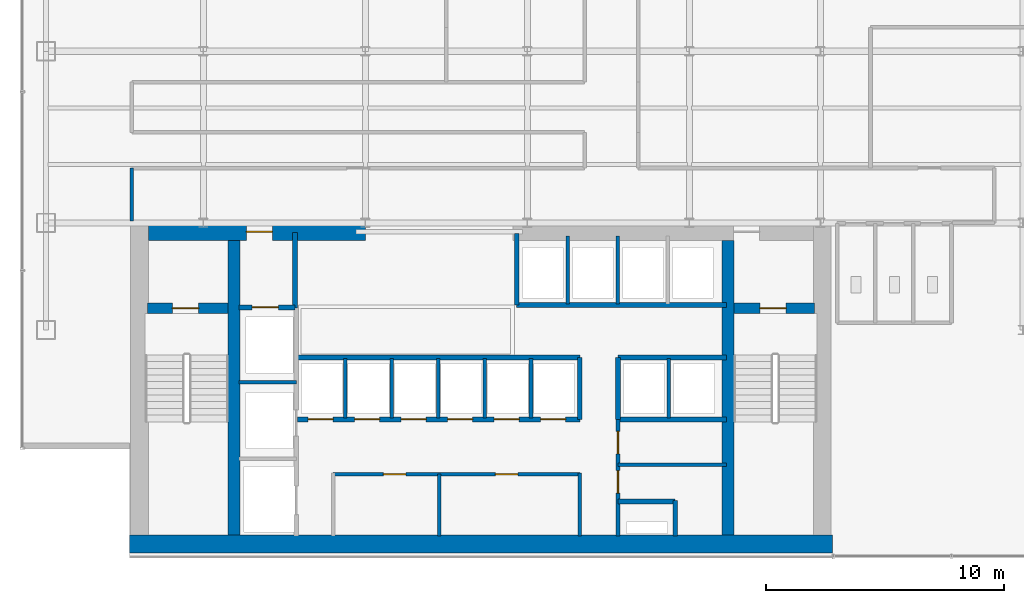
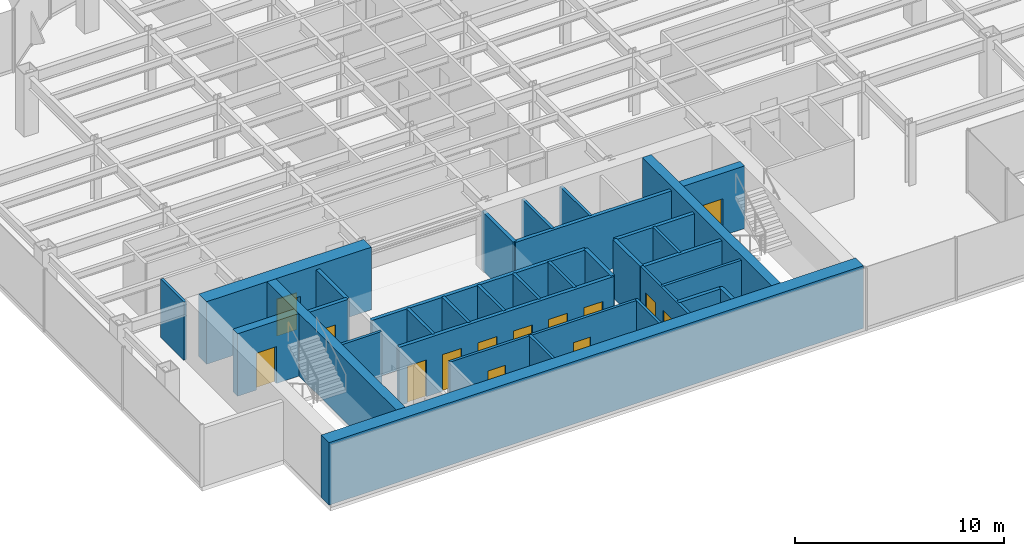
# One storey, part 21 of 26: 33 walls, 14 doors, 14 openings.
"""IFC4 building model written with IfcOpenShell, lengths in metres."""

from ifc_helpers import new_model, si_unit, derived_unit, direction, frame, frame_2d, origin, place, context, subcontext, project, spatial, rectangle, extrude, source, transform, mapped, material, layer, layer_set, type_object, element, fill, save


model = new_model("IFC4")

# Units and contexts
model_context = context("Model", 3, precision=1e-05, world=origin(), true_north=direction((0.0, 1.0)))
body_context = subcontext(model_context, "Body", "Model", "MODEL_VIEW")
ifc_project = project(units=[si_unit("LENGTHUNIT", "METRE"), si_unit("AREAUNIT", "SQUARE_METRE"), si_unit("VOLUMEUNIT", "CUBIC_METRE"), si_unit("PLANEANGLEUNIT", "RADIAN"), si_unit("MASSUNIT", "GRAM", prefix="KILO"), derived_unit("THERMALTRANSMITTANCEUNIT", [(si_unit("POWERUNIT", "WATT"), 1), (si_unit("LENGTHUNIT", "METRE"), -2), (si_unit("THERMODYNAMICTEMPERATUREUNIT", "KELVIN"), -1)])], contexts=[model_context])

# Site, building, storey
site_placement = place(None, origin())
site = spatial("IfcSite", under=ifc_project, at=site_placement, CompositionType="ELEMENT")
building_placement = place(site_placement, origin())
building = spatial("IfcBuilding", under=site, at=building_placement, Name="Skarnbrae Concourse Arena and Tower", CompositionType="ELEMENT")
storey_placement = place(building_placement, frame((0.0, 0.0, 95.949951171875)))
storey = spatial("IfcBuildingStorey", under=building, at=storey_placement, Name="L23", CompositionType="ELEMENT", Elevation=95.949951171875)

# Wall, opening, door
ifc_material_1 = material(Name="Concrete 50 MPa (C50/60)", Category="concrete")
ifc_layer_1 = layer(ifc_material_1, 0.449951171875)
ifc_layer_set_1 = layer_set([ifc_layer_1], Name="Concrete 50 MPa (C50/60)")
wall_type_1 = type_object("IfcWallType", Name="WALL-CORE-450-C50", PredefinedType="SHEAR", material=ifc_layer_set_1)
shared_shape_1 = source(origin(), body_context, "Body", "SweptSolid", [
    extrude(rectangle(XDim=3.389892578125, YDim=0.449951171875, at=frame_2d((1.69482421875, 0.0))), origin(), (0.0, 0.0, 1.0), 3.650146484375),
])
wall_1_placement = place(storey_placement, frame((5.25, 10.419921875, 0.0), z_axis=(0.0, 0.0, 1.0), x_axis=(1.0, 0.0, 0.0)))
wall_1 = element("IfcWall", 1, at=wall_1_placement, inside=storey, type_object=wall_type_1, Name="L23 Rear core shear wall CW-ST1-N", PredefinedType="SHEAR", context=body_context, shape_type="MappedRepresentation", body=[
    mapped(shared_shape_1, transform((0.0, 0.0, 0.0))),
])
opening_1_placement = place(wall_1_placement, frame((1.050048828125, 0.0, 0.0)))
opening_1 = element("IfcOpeningElement", 2, at=opening_1_placement, cuts=wall_1, Name="Opening DT-03", PredefinedType="OPENING", context=body_context, shape_type="SweptSolid", body=[
    extrude(rectangle(XDim=1.10009765625, YDim=2.14990234375, at=frame_2d((0.550048828125, 1.074951171875))), frame((0.0, 0.23486328125, 0.0), z_axis=(0.0, -1.0, 0.0), x_axis=(1.0, 0.0, 0.0)), (0.0, 0.0, 1.0), 0.469970703125),
])
ifc_material_2 = material(Name="Steel CSA G40.21 350W", Category="steel")
door_type_1 = type_object("IfcDoorType", Name="DOOR-FIRE-1100-90M", OperationType="NOTDEFINED", PredefinedType="DOOR", material=ifc_material_2)
shared_shape_2 = source(origin(), body_context, "Body", "SweptSolid", [
    extrude(rectangle(XDim=1.10009765625, YDim=2.14990234375, at=frame_2d((0.550048828125, 1.074951171875))), frame((0.0, 0.02490234375, 0.0), z_axis=(0.0, -1.0, 0.0), x_axis=(1.0, 0.0, 0.0)), (0.0, 0.0, 1.0), 0.050048828125),
])
door_1_placement = place(opening_1_placement, frame((1.10009765625, 0.0, 0.0), z_axis=(0.0, 0.0, 1.0), x_axis=(-1.0, 0.0, 0.0)))
door_1 = element("IfcDoor", 3, at=door_1_placement, inside=storey, type_object=door_type_1, Name="D-0787 Stair ST-1 Door", OperationType="SINGLE_SWING_LEFT", OverallHeight=2.14990234375, OverallWidth=1.10009765625, PredefinedType="DOOR", context=body_context, shape_type="MappedRepresentation", body=[
    mapped(shared_shape_2, transform((0.0, 0.0, 0.0))),
])
fill(opening_1, door_1)

wall_2_placement = place(storey_placement, frame((29.860107421875, 10.419921875, 0.0), z_axis=(0.0, 0.0, 1.0), x_axis=(1.0, 0.0, 0.0)))
wall_2 = element("IfcWall", 4, at=wall_2_placement, inside=storey, type_object=wall_type_1, Name="L23 Rear core shear wall CW-ST2-N", PredefinedType="SHEAR", context=body_context, shape_type="MappedRepresentation", body=[
    mapped(shared_shape_1, transform((0.0, 0.0, 0.0))),
])
opening_2_placement = place(wall_2_placement, frame((1.10009765625, 0.0, 0.0)))
opening_2 = element("IfcOpeningElement", 5, at=opening_2_placement, cuts=wall_2, Name="Opening DT-03", PredefinedType="OPENING", context=body_context, shape_type="SweptSolid", body=[
    extrude(rectangle(XDim=1.10009765625, YDim=2.14990234375, at=frame_2d((0.550048828125, 1.074951171875))), frame((0.0, 0.23486328125, 0.0), z_axis=(0.0, -1.0, 0.0), x_axis=(1.0, 0.0, 0.0)), (0.0, 0.0, 1.0), 0.469970703125),
])
door_2_placement = place(opening_2_placement, frame((1.10009765625, 0.0, 0.0), z_axis=(0.0, 0.0, 1.0), x_axis=(-1.0, 0.0, 0.0)))
door_2 = element("IfcDoor", 6, at=door_2_placement, inside=storey, type_object=door_type_1, Name="D-0788 Stair ST-2 Door", OperationType="SINGLE_SWING_RIGHT", OverallHeight=2.14990234375, OverallWidth=1.10009765625, PredefinedType="DOOR", context=body_context, shape_type="MappedRepresentation", body=[
    mapped(shared_shape_2, transform((0.0, 0.0, 0.0))),
])
fill(opening_2, door_2)

# Wall
ifc_material_3 = material(Name="Concrete 60 MPa (C60/75)", Category="concrete")
ifc_layer_2 = layer(ifc_material_3, 0.75)
ifc_layer_set_2 = layer_set([ifc_layer_2], Name="Concrete 60 MPa (C60/75)")
wall_type_2 = type_object("IfcWallType", Name="WALL-CORE-750-C60", PredefinedType="SHEAR", material=ifc_layer_set_2)
shared_shape_3 = source(origin(), body_context, "Body", "SweptSolid", [
    extrude(rectangle(XDim=29.5, YDim=0.75, at=frame_2d((14.75, 0.0))), origin(), (0.0, 0.0, 1.0), 3.650146484375),
])
wall_3_placement = place(storey_placement, frame((4.5, 0.52490234375, 0.0), z_axis=(0.0, 0.0, 1.0), x_axis=(1.0, 0.0, 0.0)))
element("IfcWall", 7, at=wall_3_placement, inside=storey, type_object=wall_type_2, Name="L23 Rear core shear wall CW-S", PredefinedType="SHEAR", context=body_context, shape_type="MappedRepresentation", body=[
    mapped(shared_shape_3, transform((0.0, 0.0, 0.0))),
])

# Wall, opening, door
shared_shape_4 = source(origin(), body_context, "Body", "SweptSolid", [
    extrude(rectangle(XDim=9.099853515625, YDim=0.75, at=frame_2d((4.5498046875, 0.0))), origin(), (0.0, 0.0, 1.0), 3.650146484375),
])
wall_4_placement = place(storey_placement, frame((5.300048828125, 13.625, 0.0), z_axis=(0.0, 0.0, 1.0), x_axis=(1.0, 0.0, 0.0)))
wall_4 = element("IfcWall", 8, at=wall_4_placement, inside=storey, type_object=wall_type_2, Name="L23 Rear core shear wall CW-NW", PredefinedType="SHEAR", context=body_context, shape_type="MappedRepresentation", body=[
    mapped(shared_shape_4, transform((0.0, 0.0, 0.0))),
])
opening_3_placement = place(wall_4_placement, frame((4.10009765625, 0.0, 0.0)))
opening_3 = element("IfcOpeningElement", 9, at=opening_3_placement, cuts=wall_4, Name="Opening DT-03", PredefinedType="OPENING", context=body_context, shape_type="SweptSolid", body=[
    extrude(rectangle(XDim=1.10009765625, YDim=2.14990234375, at=frame_2d((0.550048828125, 1.074951171875))), frame((0.0, 0.385009765625, 0.0), z_axis=(0.0, -1.0, 0.0), x_axis=(1.0, 0.0, 0.0)), (0.0, 0.0, 1.0), 0.77001953125),
])
door_3_placement = place(opening_3_placement, origin())
door_3 = element("IfcDoor", 10, at=door_3_placement, inside=storey, type_object=door_type_1, Name="D-0789 Firefighting Lobby Exit Door", OperationType="SINGLE_SWING_RIGHT", OverallHeight=2.14990234375, OverallWidth=1.10009765625, PredefinedType="DOOR", context=body_context, shape_type="MappedRepresentation", body=[
    mapped(shared_shape_2, transform((0.0, 0.0, 0.0))),
])
fill(opening_3, door_3)

# Walls
ifc_layer_3 = layer(ifc_material_3, 0.5)
ifc_layer_set_3 = layer_set([ifc_layer_3], Name="Concrete 60 MPa (C60/75)")
wall_type_3 = type_object("IfcWallType", Name="WALL-CORE-500-C60", PredefinedType="SHEAR", material=ifc_layer_set_3)
shared_shape_5 = source(origin(), body_context, "Body", "SweptSolid", [
    extrude(rectangle(XDim=12.35009765625, YDim=0.5, at=frame_2d((6.175048828125, 0.0))), origin(), (0.0, 0.0, 1.0), 3.650146484375),
])
for number, where, z_axis, x_axis, name in (
    (11, (8.889892578125, 0.89990234375, 0.0), (0.0, 0.0, 1.0), (0.0, 1.0, 0.0), "L23 Rear core shear wall CW-WEB-W"),
    (12, (29.610107421875, 0.89990234375, 0.0), (0.0, 0.0, 1.0), (0.0, 1.0, 0.0), "L23 Rear core shear wall CW-WEB-E"),
):
    element("IfcWall", number, at=place(storey_placement, frame(where, z_axis=z_axis, x_axis=x_axis)), inside=storey, type_object=wall_type_3, Name=name, PredefinedType="SHEAR", context=body_context, shape_type="MappedRepresentation", body=[
        mapped(shared_shape_5, transform((0.0, 0.0, 0.0))),
    ])
ifc_material_4 = material(Name="Gypsum board on cold-formed steel studs", Category="steel")
ifc_layer_4 = layer(ifc_material_4, 0.199951171875)
ifc_layer_set_4 = layer_set([ifc_layer_4], Name="Gypsum board on cold-formed steel studs")
wall_type_4 = type_object("IfcWallType", Name="WALL-PART-200-2HR", PredefinedType="PARTITIONING", material=ifc_layer_set_4)
shared_shape_6 = source(origin(), body_context, "Body", "SweptSolid", [
    extrude(rectangle(XDim=3.18017578125, YDim=0.199951171875, at=frame_2d((1.590087890625, 0.0))), origin(), (0.0, 0.0, 1.0), 3.400146484375),
])
wall_5_placement = place(storey_placement, frame((11.449951171875, 10.419921875, 0.0), z_axis=(0.0, 0.0, 1.0), x_axis=(0.0, 1.0, 0.0)))
element("IfcWall", 13, at=wall_5_placement, inside=storey, type_object=wall_type_4, Name="L23 Interior partition wall W-L23-FFL-E", PredefinedType="PARTITIONING", context=body_context, shape_type="MappedRepresentation", body=[
    mapped(shared_shape_6, transform((0.0, 0.0, 0.0))),
])

# Wall, opening, door
shared_shape_7 = source(origin(), body_context, "Body", "SweptSolid", [
    extrude(rectangle(XDim=2.349853515625, YDim=0.199951171875, at=frame_2d((1.1748046875, 0.0))), origin(), (0.0, 0.0, 1.0), 3.400146484375),
])
wall_6_placement = place(storey_placement, frame((9.10009765625, 10.449951171875, 0.0), z_axis=(0.0, 0.0, 1.0), x_axis=(1.0, 0.0, 0.0)))
wall_6 = element("IfcWall", 14, at=wall_6_placement, inside=storey, type_object=wall_type_4, Name="L23 Interior partition wall W-L23-FL1-N", PredefinedType="PARTITIONING", context=body_context, shape_type="MappedRepresentation", body=[
    mapped(shared_shape_7, transform((0.0, 0.0, 0.0))),
])
opening_4_placement = place(wall_6_placement, frame((0.550048828125, 0.0, 0.0)))
opening_4 = element("IfcOpeningElement", 15, at=opening_4_placement, cuts=wall_6, Name="Opening LD-01", PredefinedType="OPENING", context=body_context, shape_type="SweptSolid", body=[
    extrude(rectangle(XDim=1.10009765625, YDim=2.14990234375, at=frame_2d((0.550048828125, 1.074951171875))), frame((0.0, 0.10986328125, 0.0), z_axis=(0.0, -1.0, 0.0), x_axis=(1.0, 0.0, 0.0)), (0.0, 0.0, 1.0), 0.219970703125),
])
door_type_2 = type_object("IfcDoorType", Name="DOOR-LIFT-SLIDE-1100", OperationType="SLIDING_TO_LEFT", PredefinedType="DOOR", material=ifc_material_2)
door_4_placement = place(opening_4_placement, origin())
door_4 = element("IfcDoor", 16, at=door_4_placement, inside=storey, type_object=door_type_2, Name="D-0791 Firefighting Lift Landing Door FL-01", OperationType="SLIDING_TO_LEFT", OverallHeight=2.14990234375, OverallWidth=1.10009765625, PredefinedType="DOOR", context=body_context, shape_type="MappedRepresentation", body=[
    mapped(shared_shape_2, transform((0.0, 0.0, 0.0))),
])
fill(opening_4, door_4)

# Walls
ifc_layer_5 = layer(ifc_material_4, 0.14990234375)
ifc_layer_set_5 = layer_set([ifc_layer_5], Name="Gypsum board on cold-formed steel studs")
wall_type_5 = type_object("IfcWallType", Name="WALL-PART-150", PredefinedType="PARTITIONING", material=ifc_layer_set_5)
shared_shape_8 = source(origin(), body_context, "Body", "SweptSolid", [
    extrude(rectangle(XDim=2.39990234375, YDim=0.14990234375, at=frame_2d((1.199951171875, 0.0))), origin(), (0.0, 0.0, 1.0), 3.400146484375),
])
wall_7_placement = place(storey_placement, frame((9.10009765625, 7.300048828125, 0.0), z_axis=(0.0, 0.0, 1.0), x_axis=(1.0, 0.0, 0.0)))
element("IfcWall", 17, at=wall_7_placement, inside=storey, type_object=wall_type_5, Name="L23 Interior partition wall W-L23-FL-D2", PredefinedType="PARTITIONING", context=body_context, shape_type="MappedRepresentation", body=[
    mapped(shared_shape_8, transform((0.0, 0.0, 0.0))),
])
shared_shape_9 = source(origin(), body_context, "Body", "SweptSolid", [
    extrude(rectangle(XDim=2.599853515625, YDim=0.14990234375, at=frame_2d((1.2998046875, 0.0))), origin(), (0.0, 0.0, 1.0), 3.400146484375),
])
wall_8_placement = place(storey_placement, frame((17.5, 0.85009765625, 0.0), z_axis=(0.0, 0.0, 1.0), x_axis=(0.0, 1.0, 0.0)))
element("IfcWall", 18, at=wall_8_placement, inside=storey, type_object=wall_type_5, Name="L23 Interior partition wall W-L23-B1M-C1", PredefinedType="PARTITIONING", context=body_context, shape_type="MappedRepresentation", body=[
    mapped(shared_shape_9, transform((0.0, 0.0, 0.0))),
])

# Wall, openings, doors
shared_shape_10 = source(origin(), body_context, "Body", "SweptSolid", [
    extrude(rectangle(XDim=11.849853515625, YDim=0.199951171875, at=frame_2d((5.9248046875, 0.0))), origin(), (0.0, 0.0, 1.0), 3.400146484375),
])
wall_9_placement = place(storey_placement, frame((11.550048828125, 5.75, 0.0), z_axis=(0.0, 0.0, 1.0), x_axis=(1.0, 0.0, 0.0)))
wall_9 = element("IfcWall", 19, at=wall_9_placement, inside=storey, type_object=wall_type_4, Name="L23 Interior partition wall W-L23-B2-S", PredefinedType="PARTITIONING", context=body_context, shape_type="MappedRepresentation", body=[
    mapped(shared_shape_10, transform((0.0, 0.0, 0.0))),
])
opening_5_placement = place(wall_9_placement, frame((0.449951171875, 0.0, 0.0)))
opening_5 = element("IfcOpeningElement", 20, at=opening_5_placement, cuts=wall_9, Name="Opening LD-03", PredefinedType="OPENING", context=body_context, shape_type="SweptSolid", body=[
    extrude(rectangle(XDim=1.050048828125, YDim=2.14990234375, at=frame_2d((0.52490234375, 1.074951171875))), frame((0.0, 0.10986328125, 0.0), z_axis=(0.0, -1.0, 0.0), x_axis=(1.0, 0.0, 0.0)), (0.0, 0.0, 1.0), 0.219970703125),
])
opening_6_placement = place(wall_9_placement, frame((2.39990234375, 0.0, 0.0)))
opening_6 = element("IfcOpeningElement", 21, at=opening_6_placement, cuts=wall_9, Name="Opening LD-03", PredefinedType="OPENING", context=body_context, shape_type="SweptSolid", body=[
    extrude(rectangle(XDim=1.050048828125, YDim=2.14990234375, at=frame_2d((0.52490234375, 1.074951171875))), frame((0.0, 0.10986328125, 0.0), z_axis=(0.0, -1.0, 0.0), x_axis=(1.0, 0.0, 0.0)), (0.0, 0.0, 1.0), 0.219970703125),
])
opening_7_placement = place(wall_9_placement, frame((4.35009765625, 0.0, 0.0)))
opening_7 = element("IfcOpeningElement", 22, at=opening_7_placement, cuts=wall_9, Name="Opening LD-03", PredefinedType="OPENING", context=body_context, shape_type="SweptSolid", body=[
    extrude(rectangle(XDim=1.050048828125, YDim=2.14990234375, at=frame_2d((0.52490234375, 1.074951171875))), frame((0.0, 0.10986328125, 0.0), z_axis=(0.0, -1.0, 0.0), x_axis=(1.0, 0.0, 0.0)), (0.0, 0.0, 1.0), 0.219970703125),
])
opening_8_placement = place(wall_9_placement, frame((6.300048828125, 0.0, 0.0)))
opening_8 = element("IfcOpeningElement", 23, at=opening_8_placement, cuts=wall_9, Name="Opening LD-03", PredefinedType="OPENING", context=body_context, shape_type="SweptSolid", body=[
    extrude(rectangle(XDim=1.050048828125, YDim=2.14990234375, at=frame_2d((0.52490234375, 1.074951171875))), frame((0.0, 0.10986328125, 0.0), z_axis=(0.0, -1.0, 0.0), x_axis=(1.0, 0.0, 0.0)), (0.0, 0.0, 1.0), 0.219970703125),
])
opening_9_placement = place(wall_9_placement, frame((8.25, 0.0, 0.0)))
opening_9 = element("IfcOpeningElement", 24, at=opening_9_placement, cuts=wall_9, Name="Opening LD-03", PredefinedType="OPENING", context=body_context, shape_type="SweptSolid", body=[
    extrude(rectangle(XDim=1.050048828125, YDim=2.14990234375, at=frame_2d((0.52490234375, 1.074951171875))), frame((0.0, 0.10986328125, 0.0), z_axis=(0.0, -1.0, 0.0), x_axis=(1.0, 0.0, 0.0)), (0.0, 0.0, 1.0), 0.219970703125),
])
opening_10_placement = place(wall_9_placement, frame((10.199951171875, 0.0, 0.0)))
opening_10 = element("IfcOpeningElement", 25, at=opening_10_placement, cuts=wall_9, Name="Opening LD-03", PredefinedType="OPENING", context=body_context, shape_type="SweptSolid", body=[
    extrude(rectangle(XDim=1.050048828125, YDim=2.14990234375, at=frame_2d((0.52490234375, 1.074951171875))), frame((0.0, 0.10986328125, 0.0), z_axis=(0.0, -1.0, 0.0), x_axis=(1.0, 0.0, 0.0)), (0.0, 0.0, 1.0), 0.219970703125),
])
ifc_material_5 = material(Name="Bronze anodised aluminium 6063-T6", Category="aluminium")
door_type_3 = type_object("IfcDoorType", Name="DOOR-LIFT-SLIDE-1050", OperationType="SLIDING_TO_LEFT", PredefinedType="DOOR", material=ifc_material_5)
shared_shape_11 = source(origin(), body_context, "Body", "SweptSolid", [
    extrude(rectangle(XDim=1.050048828125, YDim=2.14990234375, at=frame_2d((0.52490234375, 1.074951171875))), frame((0.0, 0.02490234375, 0.0), z_axis=(0.0, -1.0, 0.0), x_axis=(1.0, 0.0, 0.0)), (0.0, 0.0, 1.0), 0.050048828125),
])
door_5_placement = place(opening_5_placement, frame((1.050048828125, 0.0, 0.0), z_axis=(0.0, 0.0, 1.0), x_axis=(-1.0, 0.0, 0.0)))
door_5 = element("IfcDoor", 26, at=door_5_placement, inside=storey, type_object=door_type_3, Name="D-0796 Passenger Lift Landing Door PL-2A", OperationType="SLIDING_TO_LEFT", OverallHeight=2.14990234375, OverallWidth=1.050048828125, PredefinedType="DOOR", context=body_context, shape_type="MappedRepresentation", body=[
    mapped(shared_shape_11, transform((0.0, 0.0, 0.0))),
])
fill(opening_5, door_5)
door_6_placement = place(opening_6_placement, frame((1.050048828125, 0.0, 0.0), z_axis=(0.0, 0.0, 1.0), x_axis=(-1.0, 0.0, 0.0)))
door_6 = element("IfcDoor", 27, at=door_6_placement, inside=storey, type_object=door_type_3, Name="D-0797 Passenger Lift Landing Door PL-2B", OperationType="SLIDING_TO_LEFT", OverallHeight=2.14990234375, OverallWidth=1.050048828125, PredefinedType="DOOR", context=body_context, shape_type="MappedRepresentation", body=[
    mapped(shared_shape_11, transform((0.0, 0.0, 0.0))),
])
fill(opening_6, door_6)
door_7_placement = place(opening_7_placement, frame((1.050048828125, 0.0, 0.0), z_axis=(0.0, 0.0, 1.0), x_axis=(-1.0, 0.0, 0.0)))
door_7 = element("IfcDoor", 28, at=door_7_placement, inside=storey, type_object=door_type_3, Name="D-0798 Passenger Lift Landing Door PL-2C", OperationType="SLIDING_TO_LEFT", OverallHeight=2.14990234375, OverallWidth=1.050048828125, PredefinedType="DOOR", context=body_context, shape_type="MappedRepresentation", body=[
    mapped(shared_shape_11, transform((0.0, 0.0, 0.0))),
])
fill(opening_7, door_7)
door_8_placement = place(opening_8_placement, frame((1.050048828125, 0.0, 0.0), z_axis=(0.0, 0.0, 1.0), x_axis=(-1.0, 0.0, 0.0)))
door_8 = element("IfcDoor", 29, at=door_8_placement, inside=storey, type_object=door_type_3, Name="D-0799 Passenger Lift Landing Door PL-2D", OperationType="SLIDING_TO_LEFT", OverallHeight=2.14990234375, OverallWidth=1.050048828125, PredefinedType="DOOR", context=body_context, shape_type="MappedRepresentation", body=[
    mapped(shared_shape_11, transform((0.0, 0.0, 0.0))),
])
fill(opening_8, door_8)
door_9_placement = place(opening_9_placement, frame((1.050048828125, 0.0, 0.0), z_axis=(0.0, 0.0, 1.0), x_axis=(-1.0, 0.0, 0.0)))
door_9 = element("IfcDoor", 30, at=door_9_placement, inside=storey, type_object=door_type_3, Name="D-0800 Passenger Lift Landing Door PL-2E", OperationType="SLIDING_TO_LEFT", OverallHeight=2.14990234375, OverallWidth=1.050048828125, PredefinedType="DOOR", context=body_context, shape_type="MappedRepresentation", body=[
    mapped(shared_shape_11, transform((0.0, 0.0, 0.0))),
])
fill(opening_9, door_9)
door_10_placement = place(opening_10_placement, frame((1.050048828125, 0.0, 0.0), z_axis=(0.0, 0.0, 1.0), x_axis=(-1.0, 0.0, 0.0)))
door_10 = element("IfcDoor", 31, at=door_10_placement, inside=storey, type_object=door_type_3, Name="D-0801 Passenger Lift Landing Door PL-2F", OperationType="SLIDING_TO_LEFT", OverallHeight=2.14990234375, OverallWidth=1.050048828125, PredefinedType="DOOR", context=body_context, shape_type="MappedRepresentation", body=[
    mapped(shared_shape_11, transform((0.0, 0.0, 0.0))),
])
fill(opening_10, door_10)

# Walls
wall_10_placement = place(storey_placement, frame((11.550048828125, 8.35009765625, 0.0), z_axis=(0.0, 0.0, 1.0), x_axis=(1.0, 0.0, 0.0)))
element("IfcWall", 32, at=wall_10_placement, inside=storey, type_object=wall_type_4, Name="L23 Interior partition wall W-L23-B2-N", PredefinedType="PARTITIONING", context=body_context, shape_type="MappedRepresentation", body=[
    mapped(shared_shape_10, transform((0.0, 0.0, 0.0))),
])
shared_shape_12 = source(origin(), body_context, "Body", "SweptSolid", [
    extrude(rectangle(XDim=2.60009765625, YDim=0.199951171875, at=frame_2d((1.300048828125, 0.0))), origin(), (0.0, 0.0, 1.0), 3.400146484375),
])
for number, where, z_axis, x_axis, name in (
    (33, (23.39990234375, 5.75, 0.0), (0.0, 0.0, 1.0), (0.0, 1.0, 0.0), "L23 Interior partition wall W-L23-B2-E"),
    (34, (25.0, 5.75, 0.0), (0.0, 0.0, 1.0), (0.0, 1.0, 0.0), "L23 Interior partition wall W-L23-B3S-W"),
):
    element("IfcWall", number, at=place(storey_placement, frame(where, z_axis=z_axis, x_axis=x_axis)), inside=storey, type_object=wall_type_4, Name=name, PredefinedType="PARTITIONING", context=body_context, shape_type="MappedRepresentation", body=[
        mapped(shared_shape_12, transform((0.0, 0.0, 0.0))),
    ])
shared_shape_13 = source(origin(), body_context, "Body", "SweptSolid", [
    extrude(rectangle(XDim=2.5, YDim=0.14990234375, at=frame_2d((1.25, 0.0))), origin(), (0.0, 0.0, 1.0), 3.400146484375),
])
for number, where, z_axis, x_axis, name in (
    (35, (13.550048828125, 5.800048828125, 0.0), (0.0, 0.0, 1.0), (0.0, 1.0, 0.0), "L23 Interior partition wall W-L23-B2-P1"),
    (36, (15.5, 5.800048828125, 0.0), (0.0, 0.0, 1.0), (0.0, 1.0, 0.0), "L23 Interior partition wall W-L23-B2-P2"),
    (37, (17.449951171875, 5.800048828125, 0.0), (0.0, 0.0, 1.0), (0.0, 1.0, 0.0), "L23 Interior partition wall W-L23-B2-P3"),
    (38, (19.39990234375, 5.800048828125, 0.0), (0.0, 0.0, 1.0), (0.0, 1.0, 0.0), "L23 Interior partition wall W-L23-B2-P4"),
    (39, (21.35009765625, 5.800048828125, 0.0), (0.0, 0.0, 1.0), (0.0, 1.0, 0.0), "L23 Interior partition wall W-L23-B2-P5"),
    (40, (27.139892578125, 5.800048828125, 0.0), (0.0, 0.0, 1.0), (0.0, 1.0, 0.0), "L23 Interior partition wall W-L23-B3S-P1"),
):
    element("IfcWall", number, at=place(storey_placement, frame(where, z_axis=z_axis, x_axis=x_axis)), inside=storey, type_object=wall_type_5, Name=name, PredefinedType="PARTITIONING", context=body_context, shape_type="MappedRepresentation", body=[
        mapped(shared_shape_13, transform((0.0, 0.0, 0.0))),
    ])
shared_shape_14 = source(origin(), body_context, "Body", "SweptSolid", [
    extrude(rectangle(XDim=8.800048828125, YDim=0.199951171875, at=frame_2d((4.39990234375, 0.0))), origin(), (0.0, 0.0, 1.0), 3.400146484375),
])
wall_11_placement = place(storey_placement, frame((20.75, 10.550048828125, 0.0), z_axis=(0.0, 0.0, 1.0), x_axis=(1.0, 0.0, 0.0)))
element("IfcWall", 41, at=wall_11_placement, inside=storey, type_object=wall_type_4, Name="L23 Interior partition wall W-L23-B3N-S", PredefinedType="PARTITIONING", context=body_context, shape_type="MappedRepresentation", body=[
    mapped(shared_shape_14, transform((0.0, 0.0, 0.0))),
])
shared_shape_15 = source(origin(), body_context, "Body", "SweptSolid", [
    extrude(rectangle(XDim=3.0, YDim=0.199951171875, at=frame_2d((1.5, 0.0))), origin(), (0.0, 0.0, 1.0), 3.400146484375),
])
wall_12_placement = place(storey_placement, frame((20.75, 10.550048828125, 0.0), z_axis=(0.0, 0.0, 1.0), x_axis=(0.0, 1.0, 0.0)))
element("IfcWall", 42, at=wall_12_placement, inside=storey, type_object=wall_type_4, Name="L23 Interior partition wall W-L23-B3N-W", PredefinedType="PARTITIONING", context=body_context, shape_type="MappedRepresentation", body=[
    mapped(shared_shape_15, transform((0.0, 0.0, 0.0))),
])
shared_shape_16 = source(origin(), body_context, "Body", "SweptSolid", [
    extrude(rectangle(XDim=2.849853515625, YDim=0.14990234375, at=frame_2d((1.4248046875, 0.0))), origin(), (0.0, 0.0, 1.0), 3.400146484375),
])
for number, where, z_axis, x_axis, name in (
    (43, (22.889892578125, 10.60009765625, 0.0), (0.0, 0.0, 1.0), (0.0, 1.0, 0.0), "L23 Interior partition wall W-L23-B3N-P1"),
    (44, (24.989990234375, 10.60009765625, 0.0), (0.0, 0.0, 1.0), (0.0, 1.0, 0.0), "L23 Interior partition wall W-L23-B3N-P2"),
):
    element("IfcWall", number, at=place(storey_placement, frame(where, z_axis=z_axis, x_axis=x_axis)), inside=storey, type_object=wall_type_5, Name=name, PredefinedType="PARTITIONING", context=body_context, shape_type="MappedRepresentation", body=[
        mapped(shared_shape_16, transform((0.0, 0.0, 0.0))),
    ])
shared_shape_17 = source(origin(), body_context, "Body", "SweptSolid", [
    extrude(rectangle(XDim=4.550048828125, YDim=0.199951171875, at=frame_2d((2.27490234375, 0.0))), origin(), (0.0, 0.0, 1.0), 3.400146484375),
])
for number, where, z_axis, x_axis, name in (
    (45, (25.0, 8.35009765625, 0.0), (0.0, 0.0, 1.0), (1.0, 0.0, 0.0), "L23 Interior partition wall W-L23-B3S-N"),
    (46, (25.0, 5.75, 0.0), (0.0, 0.0, 1.0), (1.0, 0.0, 0.0), "L23 Interior partition wall W-L23-B3S-S"),
):
    element("IfcWall", number, at=place(storey_placement, frame(where, z_axis=z_axis, x_axis=x_axis)), inside=storey, type_object=wall_type_4, Name=name, PredefinedType="PARTITIONING", context=body_context, shape_type="MappedRepresentation", body=[
        mapped(shared_shape_17, transform((0.0, 0.0, 0.0))),
    ])

# Wall, openings, doors
ifc_layer_6 = layer(ifc_material_4, 0.14990234375)
ifc_layer_set_6 = layer_set([ifc_layer_6], Name="Gypsum board on cold-formed steel studs")
wall_type_6 = type_object("IfcWallType", Name="WALL-PART-150-1HR", PredefinedType="PARTITIONING", material=ifc_layer_set_6)
shared_shape_18 = source(origin(), body_context, "Body", "SweptSolid", [
    extrude(rectangle(XDim=4.89990234375, YDim=0.14990234375, at=frame_2d((2.449951171875, 0.0))), origin(), (0.0, 0.0, 1.0), 3.400146484375),
])
wall_13_placement = place(storey_placement, frame((25.0, 0.85009765625, 0.0), z_axis=(0.0, 0.0, 1.0), x_axis=(0.0, 1.0, 0.0)))
wall_13 = element("IfcWall", 47, at=wall_13_placement, inside=storey, type_object=wall_type_6, Name="L23 Interior partition wall W-L23-CSV-W", PredefinedType="PARTITIONING", context=body_context, shape_type="MappedRepresentation", body=[
    mapped(shared_shape_18, transform((0.0, 0.0, 0.0))),
])
opening_11_placement = place(wall_13_placement, frame((1.800048828125, 0.0, 0.0)))
opening_11 = element("IfcOpeningElement", 48, at=opening_11_placement, cuts=wall_13, Name="Opening DT-04", PredefinedType="OPENING", context=body_context, shape_type="SweptSolid", body=[
    extrude(rectangle(XDim=0.949951171875, YDim=2.14990234375, at=frame_2d((0.47509765625, 1.074951171875))), frame((0.0, 0.0849609375, 0.0), z_axis=(0.0, -1.0, 0.0), x_axis=(1.0, 0.0, 0.0)), (0.0, 0.0, 1.0), 0.169921875),
])
opening_12_placement = place(wall_13_placement, frame((3.449951171875, 0.0, 0.0)))
opening_12 = element("IfcOpeningElement", 49, at=opening_12_placement, cuts=wall_13, Name="Opening DT-04", PredefinedType="OPENING", context=body_context, shape_type="SweptSolid", body=[
    extrude(rectangle(XDim=0.949951171875, YDim=2.14990234375, at=frame_2d((0.47509765625, 1.074951171875))), frame((0.0, 0.0849609375, 0.0), z_axis=(0.0, -1.0, 0.0), x_axis=(1.0, 0.0, 0.0)), (0.0, 0.0, 1.0), 0.169921875),
])
door_type_4 = type_object("IfcDoorType", Name="DOOR-INT-950-45M", OperationType="NOTDEFINED", PredefinedType="DOOR", material=ifc_material_2)
shared_shape_19 = source(origin(), body_context, "Body", "SweptSolid", [
    extrude(rectangle(XDim=0.949951171875, YDim=2.14990234375, at=frame_2d((0.47509765625, 1.074951171875))), frame((0.0, 0.02490234375, 0.0), z_axis=(0.0, -1.0, 0.0), x_axis=(1.0, 0.0, 0.0)), (0.0, 0.0, 1.0), 0.050048828125),
])
door_11_placement = place(opening_11_placement, origin())
door_11 = element("IfcDoor", 50, at=door_11_placement, inside=storey, type_object=door_type_4, Name="D-0802 Electrical Switch Room Door", OperationType="SINGLE_SWING_LEFT", OverallHeight=2.14990234375, OverallWidth=0.949951171875, PredefinedType="DOOR", context=body_context, shape_type="MappedRepresentation", body=[
    mapped(shared_shape_19, transform((0.0, 0.0, 0.0))),
])
fill(opening_11, door_11)
door_12_placement = place(opening_12_placement, origin())
door_12 = element("IfcDoor", 51, at=door_12_placement, inside=storey, type_object=door_type_4, Name="D-0803 Cleaner Store Door", OperationType="SINGLE_SWING_RIGHT", OverallHeight=2.14990234375, OverallWidth=0.949951171875, PredefinedType="DOOR", context=body_context, shape_type="MappedRepresentation", body=[
    mapped(shared_shape_19, transform((0.0, 0.0, 0.0))),
])
fill(opening_12, door_12)

# Walls
shared_shape_20 = source(origin(), body_context, "Body", "SweptSolid", [
    extrude(rectangle(XDim=2.39990234375, YDim=0.199951171875, at=frame_2d((1.199951171875, 0.0))), origin(), (0.0, 0.0, 1.0), 3.400146484375),
])
wall_14_placement = place(storey_placement, frame((25.0, 2.300048828125, 0.0), z_axis=(0.0, 0.0, 1.0), x_axis=(1.0, 0.0, 0.0)))
element("IfcWall", 52, at=wall_14_placement, inside=storey, type_object=wall_type_4, Name="L23 Interior partition wall W-L23-MEP-N", PredefinedType="PARTITIONING", context=body_context, shape_type="MappedRepresentation", body=[
    mapped(shared_shape_20, transform((0.0, 0.0, 0.0))),
])
shared_shape_21 = source(origin(), body_context, "Body", "SweptSolid", [
    extrude(rectangle(XDim=1.5, YDim=0.199951171875, at=frame_2d((0.75, 0.0))), origin(), (0.0, 0.0, 1.0), 3.400146484375),
])
wall_15_placement = place(storey_placement, frame((27.39990234375, 0.85009765625, 0.0), z_axis=(0.0, 0.0, 1.0), x_axis=(0.0, 1.0, 0.0)))
element("IfcWall", 53, at=wall_15_placement, inside=storey, type_object=wall_type_4, Name="L23 Interior partition wall W-L23-MEP-E", PredefinedType="PARTITIONING", context=body_context, shape_type="MappedRepresentation", body=[
    mapped(shared_shape_21, transform((0.0, 0.0, 0.0))),
])
shared_shape_22 = source(origin(), body_context, "Body", "SweptSolid", [
    extrude(rectangle(XDim=4.550048828125, YDim=0.14990234375, at=frame_2d((2.27490234375, 0.0))), origin(), (0.0, 0.0, 1.0), 3.400146484375),
])
wall_16_placement = place(storey_placement, frame((25.0, 3.85009765625, 0.0), z_axis=(0.0, 0.0, 1.0), x_axis=(1.0, 0.0, 0.0)))
element("IfcWall", 54, at=wall_16_placement, inside=storey, type_object=wall_type_5, Name="L23 Interior partition wall W-L23-CSV-H", PredefinedType="PARTITIONING", context=body_context, shape_type="MappedRepresentation", body=[
    mapped(shared_shape_22, transform((0.0, 0.0, 0.0))),
])
shared_shape_23 = source(origin(), body_context, "Body", "SweptSolid", [
    extrude(rectangle(XDim=2.64990234375, YDim=0.14990234375, at=frame_2d((1.324951171875, 0.0))), origin(), (0.0, 0.0, 1.0), 3.400146484375),
])
wall_17_placement = place(storey_placement, frame((23.39990234375, 0.85009765625, 0.0), z_axis=(0.0, 0.0, 1.0), x_axis=(0.0, 1.0, 0.0)))
element("IfcWall", 55, at=wall_17_placement, inside=storey, type_object=wall_type_6, Name="L23 Interior partition wall W-L23-B1M-E", PredefinedType="PARTITIONING", context=body_context, shape_type="MappedRepresentation", body=[
    mapped(shared_shape_23, transform((0.0, 0.0, 0.0))),
])

# Wall, openings, doors
shared_shape_24 = source(origin(), body_context, "Body", "SweptSolid", [
    extrude(rectangle(XDim=10.349853515625, YDim=0.14990234375, at=frame_2d((5.1748046875, 0.0))), origin(), (0.0, 0.0, 1.0), 3.400146484375),
])
wall_18_placement = place(storey_placement, frame((13.050048828125, 3.449951171875, 0.0), z_axis=(0.0, 0.0, 1.0), x_axis=(1.0, 0.0, 0.0)))
wall_18 = element("IfcWall", 56, at=wall_18_placement, inside=storey, type_object=wall_type_6, Name="L23 Interior partition wall W-L23-B1M-N", PredefinedType="PARTITIONING", context=body_context, shape_type="MappedRepresentation", body=[
    mapped(shared_shape_24, transform((0.0, 0.0, 0.0))),
])
opening_13_placement = place(wall_18_placement, frame((2.10009765625, 0.0, 0.0)))
opening_13 = element("IfcOpeningElement", 57, at=opening_13_placement, cuts=wall_18, Name="Opening DT-04", PredefinedType="OPENING", context=body_context, shape_type="SweptSolid", body=[
    extrude(rectangle(XDim=0.949951171875, YDim=2.14990234375, at=frame_2d((0.47509765625, 1.074951171875))), frame((0.0, 0.0849609375, 0.0), z_axis=(0.0, -1.0, 0.0), x_axis=(1.0, 0.0, 0.0)), (0.0, 0.0, 1.0), 0.169921875),
])
opening_14_placement = place(wall_18_placement, frame((6.800048828125, 0.0, 0.0)))
opening_14 = element("IfcOpeningElement", 58, at=opening_14_placement, cuts=wall_18, Name="Opening DT-04", PredefinedType="OPENING", context=body_context, shape_type="SweptSolid", body=[
    extrude(rectangle(XDim=0.949951171875, YDim=2.14990234375, at=frame_2d((0.47509765625, 1.074951171875))), frame((0.0, 0.0849609375, 0.0), z_axis=(0.0, -1.0, 0.0), x_axis=(1.0, 0.0, 0.0)), (0.0, 0.0, 1.0), 0.169921875),
])
door_13_placement = place(opening_13_placement, origin())
door_13 = element("IfcDoor", 59, at=door_13_placement, inside=storey, type_object=door_type_4, Name="D-0794 Core IT Room Door", OperationType="SINGLE_SWING_LEFT", OverallHeight=2.14990234375, OverallWidth=0.949951171875, PredefinedType="DOOR", context=body_context, shape_type="MappedRepresentation", body=[
    mapped(shared_shape_19, transform((0.0, 0.0, 0.0))),
])
fill(opening_13, door_13)
door_14_placement = place(opening_14_placement, origin())
door_14 = element("IfcDoor", 60, at=door_14_placement, inside=storey, type_object=door_type_4, Name="D-0795 Core Records Store Door", OperationType="SINGLE_SWING_RIGHT", OverallHeight=2.14990234375, OverallWidth=0.949951171875, PredefinedType="DOOR", context=body_context, shape_type="MappedRepresentation", body=[
    mapped(shared_shape_19, transform((0.0, 0.0, 0.0))),
])
fill(opening_14, door_14)

# Wall
shared_shape_25 = source(origin(), body_context, "Body", "SweptSolid", [
    extrude(rectangle(XDim=2.219970703125, YDim=0.14990234375, at=frame_2d((1.10986328125, 0.0))), origin(), (0.0, 0.0, 1.0), 3.400146484375),
])
wall_19_placement = place(storey_placement, frame((4.60009765625, 14.080078125, 0.0), z_axis=(0.0, 0.0, 1.0), x_axis=(0.0, 1.0, 0.0)))
element("IfcWall", 61, at=wall_19_placement, inside=storey, type_object=wall_type_6, Name="L23 Interior partition wall W-L23-COR-01", PredefinedType="PARTITIONING", context=body_context, shape_type="MappedRepresentation", body=[
    mapped(shared_shape_25, transform((0.0, 0.0, 0.0))),
])

save(model, "model.ifc")
